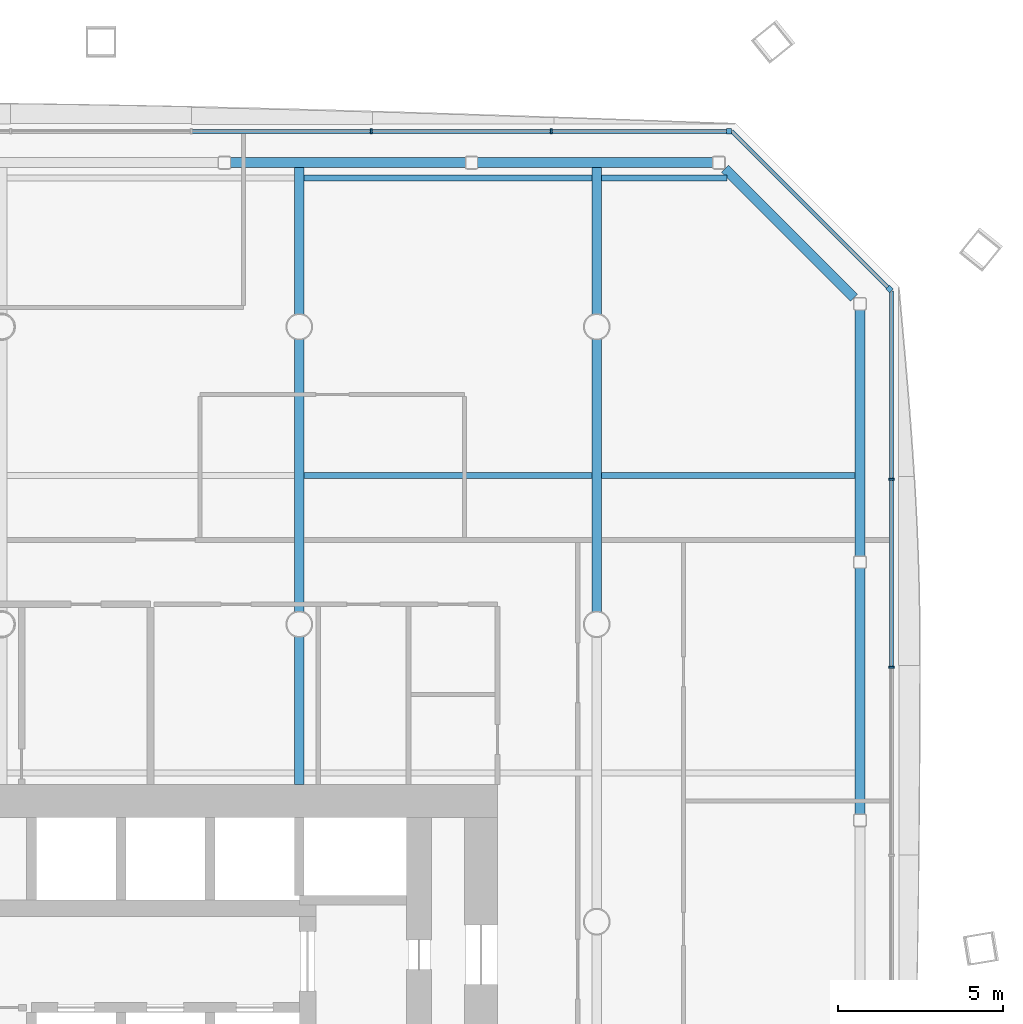
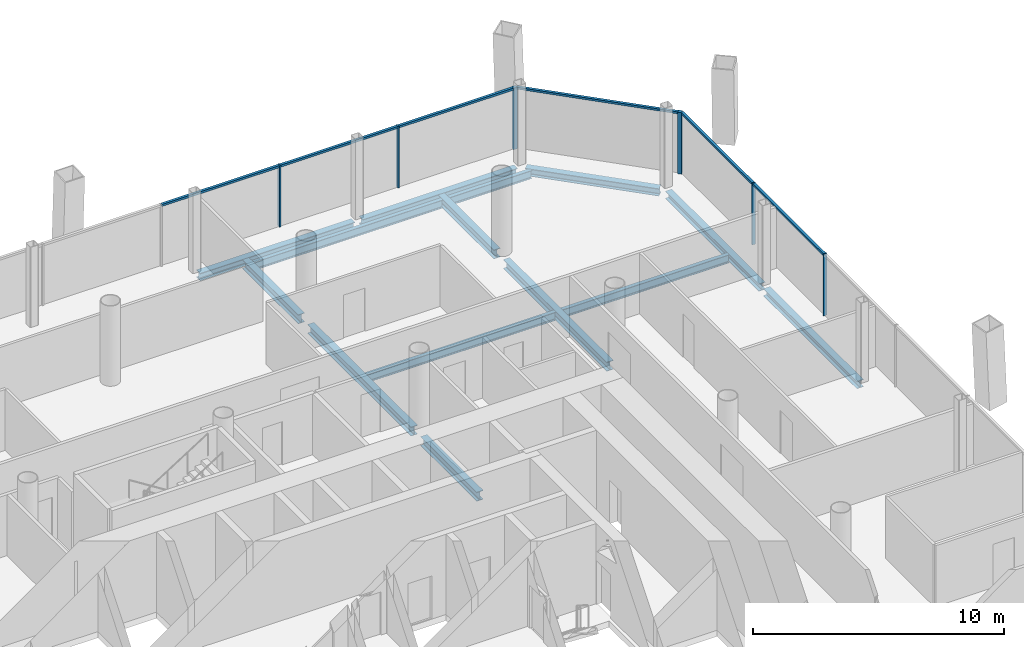
# One storey, part 9 of 19: 14 beams, 12 members, 3 elements without a shape of their own.
"""IFC4 building model written with IfcOpenShell, lengths in metres."""

from ifc_helpers import new_model, si_unit, direction, frame, origin, origin_2d, place, context, subcontext, project, spatial, rectangle, i_section, extrude, material, material_profile, profile_set, type_object, element, aggregate, save


model = new_model("IFC4")

# Units and contexts
model_context = context("Model", 3, precision=1e-05, world=origin(), true_north=direction((0.0, 1.0)))
body_context = subcontext(model_context, "Body", "Model", "MODEL_VIEW")
ifc_project = project(units=[si_unit("LENGTHUNIT", "METRE"), si_unit("AREAUNIT", "SQUARE_METRE"), si_unit("VOLUMEUNIT", "CUBIC_METRE"), si_unit("PLANEANGLEUNIT", "RADIAN"), si_unit("MASSUNIT", "GRAM", prefix="KILO")], contexts=[model_context])

# Site, building, storey
site_placement = place(None, origin())
site = spatial("IfcSite", under=ifc_project, at=site_placement, CompositionType="ELEMENT")
building_placement = place(site_placement, origin())
building = spatial("IfcBuilding", under=site, at=building_placement, Name="Tskaro Facet Tower", CompositionType="ELEMENT")
storey_placement = place(building_placement, frame((0.0, 0.0, 105.0)))
storey = spatial("IfcBuildingStorey", under=building, at=storey_placement, Name="L25", CompositionType="ELEMENT", Elevation=105.0)

# Curtain wall, member
ifc_material_1 = material(Name="Bronze anodised aluminium 6063-T6", Category="aluminium")
curtain_wall_type = type_object("IfcCurtainWallType", Name="Bronze office curtain wall (FW1)", PredefinedType="NOTDEFINED", material=ifc_material_1)
curtain_wall_1_placement = place(storey_placement, origin())
curtain_wall_1 = element("IfcCurtainWall", 1, at=curtain_wall_1_placement, inside=storey, type_object=curtain_wall_type, Name="FW1 north-east facet L25", PredefinedType="NOTDEFINED")
ifc_material_profile_1 = material_profile(ifc_material_1, rectangle(XDim=0.159912109375, YDim=0.159912109375, at=origin_2d()), Name="Corner post 160x160")
ifc_profile_set_1 = profile_set([ifc_material_profile_1], Name="Bronze anodised aluminium 6063-T6")
member_type_1 = type_object("IfcMemberType", Name="FW1 bronze corner post 160x160", PredefinedType="MULLION", material=ifc_profile_set_1)
member_1_placement = place(storey_placement, frame((26.8583984375, 19.1396484375, 0.0), z_axis=(0.0, 0.0, 1.0), x_axis=(-0.707106781187, 0.707106781187, 0.0)))
member_1 = element("IfcMember", 2, at=member_1_placement, type_object=member_type_1, Name="FW1 north-east corner post", PredefinedType="MULLION", context=body_context, shape_type="SweptSolid", body=[
    extrude(rectangle(XDim=0.159912109375, YDim=0.159912109375, at=origin_2d()), origin(), (0.0, 0.0, 1.0), 2.989990234375),
])

curtain_wall_2_placement = place(storey_placement, origin())
curtain_wall_2 = element("IfcCurtainWall", 3, at=curtain_wall_2_placement, inside=storey, type_object=curtain_wall_type, Name="FW1 north facet L25", PredefinedType="NOTDEFINED")
member_2_placement = place(storey_placement, frame((22.0029296875, 23.9150390625, 0.0), z_axis=(0.0, 0.0, 1.0), x_axis=(-1.0, 0.0, 0.0)))
member_2 = element("IfcMember", 4, at=member_2_placement, type_object=member_type_1, Name="FW1 north corner post", PredefinedType="MULLION", context=body_context, shape_type="SweptSolid", body=[
    extrude(rectangle(XDim=0.159912109375, YDim=0.159912109375, at=origin_2d()), origin(), (0.0, 0.0, 1.0), 2.989990234375),
])

# Curtain wall, members
curtain_wall_3_placement = place(storey_placement, origin())
curtain_wall_3 = element("IfcCurtainWall", 5, at=curtain_wall_3_placement, inside=storey, type_object=curtain_wall_type, Name="FW1 east facet L25", PredefinedType="NOTDEFINED")
ifc_material_profile_2 = material_profile(ifc_material_1, rectangle(XDim=0.06005859375, YDim=0.159912109375, at=origin_2d()), Name="Mullion 60x160")
ifc_profile_set_2 = profile_set([ifc_material_profile_2], Name="Bronze anodised aluminium 6063-T6")
member_type_2 = type_object("IfcMemberType", Name="FW1 bronze mullion 60x160", PredefinedType="MULLION", material=ifc_profile_set_2)
member_3_placement = place(storey_placement, frame((26.9150390625, 7.7001953125, 0.0), z_axis=(0.0, 0.0, 1.0), x_axis=(0.0, 1.0, 0.0)))
member_3 = element("IfcMember", 6, at=member_3_placement, type_object=member_type_2, Name="FW1 east mullion 5", PredefinedType="MULLION", context=body_context, shape_type="SweptSolid", body=[
    extrude(rectangle(XDim=0.06005859375, YDim=0.159912109375, at=origin_2d()), origin(), (0.0, 0.0, 1.0), 2.989990234375),
])
member_4_placement = place(storey_placement, frame((26.9150390625, 13.3916015625, 0.0), z_axis=(0.0, 0.0, 1.0), x_axis=(0.0, 1.0, 0.0)))
member_4 = element("IfcMember", 7, at=member_4_placement, type_object=member_type_2, Name="FW1 east mullion 6", PredefinedType="MULLION", context=body_context, shape_type="SweptSolid", body=[
    extrude(rectangle(XDim=0.06005859375, YDim=0.159912109375, at=origin_2d()), origin(), (0.0, 0.0, 1.0), 2.989990234375),
])

# Member
member_5_placement = place(storey_placement, frame((16.630615234375, 23.9150390625, 0.0), z_axis=(0.0, 0.0, 1.0), x_axis=(-1.0, 0.0, 0.0)))
member_5 = element("IfcMember", 8, at=member_5_placement, type_object=member_type_2, Name="FW1 north mullion 1", PredefinedType="MULLION", context=body_context, shape_type="SweptSolid", body=[
    extrude(rectangle(XDim=0.06005859375, YDim=0.159912109375, at=origin_2d()), origin(), (0.0, 0.0, 1.0), 2.989990234375),
])

member_6_placement = place(storey_placement, frame((11.178466796875, 23.9150390625, 0.0), z_axis=(0.0, 0.0, 1.0), x_axis=(-1.0, 0.0, 0.0)))
member_6 = element("IfcMember", 9, at=member_6_placement, type_object=member_type_2, Name="FW1 north mullion 2", PredefinedType="MULLION", context=body_context, shape_type="SweptSolid", body=[
    extrude(rectangle(XDim=0.06005859375, YDim=0.159912109375, at=origin_2d()), origin(), (0.0, 0.0, 1.0), 2.989990234375),
])

ifc_material_profile_3 = material_profile(ifc_material_1, rectangle(XDim=0.1201171875, YDim=0.10009765625, at=origin_2d()), Name="Transom 120x100")
ifc_profile_set_3 = profile_set([ifc_material_profile_3], Name="Bronze anodised aluminium 6063-T6")
member_type_3 = type_object("IfcMemberType", Name="FW1 bronze transom 120x100", PredefinedType="USERDEFINED", material=ifc_profile_set_3)
member_7_placement = place(storey_placement, frame((26.9150390625, 7.730224609375, 2.93994140625), z_axis=(0.0, 1.0, 0.0), x_axis=(-1.0, 0.0, 0.0)))
member_7 = element("IfcMember", 10, at=member_7_placement, type_object=member_type_3, Name="FW1 east transom 6.1", ObjectType="TRANSOM", PredefinedType="USERDEFINED", context=body_context, shape_type="SweptSolid", body=[
    extrude(rectangle(XDim=0.1201171875, YDim=0.10009765625, at=origin_2d()), origin(), (0.0, 0.0, 1.0), 5.63134765625),
])

member_8_placement = place(storey_placement, frame((26.9150390625, 13.421630859375, 2.93994140625), z_axis=(0.0, 1.0, 0.0), x_axis=(-1.0, 0.0, 0.0)))
member_8 = element("IfcMember", 11, at=member_8_placement, type_object=member_type_3, Name="FW1 east transom 7.1", ObjectType="TRANSOM", PredefinedType="USERDEFINED", context=body_context, shape_type="SweptSolid", body=[
    extrude(rectangle(XDim=0.1201171875, YDim=0.10009765625, at=origin_2d()), origin(), (0.0, 0.0, 1.0), 5.661376953125),
])

aggregate(curtain_wall_3, [member_3, member_4, member_7, member_8])

member_9_placement = place(storey_placement, frame((26.8017578125, 19.196044921875, 2.93994140625), z_axis=(-0.707088489133, 0.707125072767, 0.0), x_axis=(-0.707125072767, -0.707088489133, 0.0)))
member_9 = element("IfcMember", 12, at=member_9_placement, type_object=member_type_3, Name="FW1 north-east transom 1.1", ObjectType="TRANSOM", PredefinedType="USERDEFINED", context=body_context, shape_type="SweptSolid", body=[
    extrude(rectangle(XDim=0.1201171875, YDim=0.10009765625, at=origin_2d()), origin(), (0.0, 0.0, 1.0), 6.673583984375),
])

aggregate(curtain_wall_1, [member_1, member_9])

member_10_placement = place(storey_placement, frame((21.923095703125, 23.9150390625, 2.93994140625), z_axis=(-1.0, 0.0, 0.0), x_axis=(0.0, -1.0, 0.0)))
member_10 = element("IfcMember", 13, at=member_10_placement, type_object=member_type_3, Name="FW1 north transom 1.1", ObjectType="TRANSOM", PredefinedType="USERDEFINED", context=body_context, shape_type="SweptSolid", body=[
    extrude(rectangle(XDim=0.1201171875, YDim=0.10009765625, at=origin_2d()), origin(), (0.0, 0.0, 1.0), 5.262451171875),
])

member_11_placement = place(storey_placement, frame((16.600830078125, 23.9150390625, 2.93994140625), z_axis=(-1.0, 0.0, 0.0), x_axis=(0.0, -1.0, 0.0)))
member_11 = element("IfcMember", 14, at=member_11_placement, type_object=member_type_3, Name="FW1 north transom 2.1", ObjectType="TRANSOM", PredefinedType="USERDEFINED", context=body_context, shape_type="SweptSolid", body=[
    extrude(rectangle(XDim=0.1201171875, YDim=0.10009765625, at=origin_2d()), origin(), (0.0, 0.0, 1.0), 5.392333984375),
])

member_12_placement = place(storey_placement, frame((11.1484375, 23.9150390625, 2.93994140625), z_axis=(-1.0, 0.0, 0.0), x_axis=(0.0, -1.0, 0.0)))
member_12 = element("IfcMember", 15, at=member_12_placement, type_object=member_type_3, Name="FW1 north transom 3.1", ObjectType="TRANSOM", PredefinedType="USERDEFINED", context=body_context, shape_type="SweptSolid", body=[
    extrude(rectangle(XDim=0.1201171875, YDim=0.10009765625, at=origin_2d()), origin(), (0.0, 0.0, 1.0), 5.392333984375),
])

aggregate(curtain_wall_2, [member_2, member_5, member_6, member_10, member_11, member_12])

# Beams
ifc_material_2 = material(Name="Steel S355J2", Category="steel")
ifc_material_profile_4 = material_profile(ifc_material_2, i_section(OverallWidth=0.300048828125, OverallDepth=0.360107421875, WebThickness=0.012451171875, FlangeThickness=0.0224609375, FilletRadius=0.027099609375, at=origin_2d()), Name="HE 360 B")
ifc_profile_set_4 = profile_set([ifc_material_profile_4], Name="Steel S355J2")
beam_type_1 = type_object("IfcBeamType", Name="HE 360 B ring beam", PredefinedType="BEAM", material=ifc_profile_set_4)
for number, where, z_axis, x_axis, name in (
    (16, (25.965087890625, 3.248046875, -0.320068359375), (0.0, 1.0, 0.0), (-1.0, 0.0, 0.0), "HE 360 B EB10-2"),
    (17, (25.965087890625, 11.05908203125, -0.320068359375), (0.0, 1.0, 0.0), (-1.0, 0.0, 0.0), "HE 360 B EB11-2"),
):
    element("IfcBeam", number, at=place(storey_placement, frame(where, z_axis=z_axis, x_axis=x_axis)), inside=storey, type_object=beam_type_1, Name=name, PredefinedType="BEAM", context=body_context, shape_type="SweptSolid", body=[
        extrude(i_section(OverallWidth=0.300048828125, OverallDepth=0.360107421875, WebThickness=0.012451171875, FlangeThickness=0.0224609375, FilletRadius=0.027099609375, at=origin_2d()), origin(), (0.0, 0.0, 1.0), 7.450927734375),
    ])
beam_1_placement = place(storey_placement, frame((25.779052734375, 18.8759765625, -0.320068359375), z_axis=(-0.707106781187, 0.707106781187, 0.0), x_axis=(-0.707106781187, -0.707106781187, 0.0)))
element("IfcBeam", 18, at=beam_1_placement, inside=storey, type_object=beam_type_1, Name="HE 360 B EB12-2", PredefinedType="BEAM", context=body_context, shape_type="SweptSolid", body=[
    extrude(i_section(OverallWidth=0.300048828125, OverallDepth=0.360107421875, WebThickness=0.012451171875, FlangeThickness=0.0224609375, FilletRadius=0.027099609375, at=origin_2d()), origin(), (0.0, 0.0, 1.0), 5.519775390625),
])
for number, where, z_axis, x_axis, name in (
    (19, (21.510009765625, 22.965087890625, -0.320068359375), (-1.0, 0.0, 0.0), (0.0, -1.0, 0.0), "HE 360 B EB13-2"),
    (20, (14.033935546875, 22.965087890625, -0.320068359375), (-1.0, 0.0, 0.0), (0.0, -1.0, 0.0), "HE 360 B EB14-2"),
):
    element("IfcBeam", number, at=place(storey_placement, frame(where, z_axis=z_axis, x_axis=x_axis)), inside=storey, type_object=beam_type_1, Name=name, PredefinedType="BEAM", context=body_context, shape_type="SweptSolid", body=[
        extrude(i_section(OverallWidth=0.300048828125, OverallDepth=0.360107421875, WebThickness=0.012451171875, FlangeThickness=0.0224609375, FilletRadius=0.027099609375, at=origin_2d()), origin(), (0.0, 0.0, 1.0), 7.115966796875),
    ])
ifc_material_profile_5 = material_profile(ifc_material_2, i_section(OverallWidth=0.300048828125, OverallDepth=0.43994140625, WebThickness=0.011474609375, FlangeThickness=0.02099609375, FilletRadius=0.027099609375, at=origin_2d()), Name="HE 450 A")
ifc_profile_set_5 = profile_set([ifc_material_profile_5], Name="Steel S355J2")
beam_type_2 = type_object("IfcBeamType", Name="HE 450 A girder", PredefinedType="BEAM", material=ifc_profile_set_5)
beam_2_placement = place(storey_placement, frame((9.0, 4.14990234375, -0.360107421875), z_axis=(0.0, 1.0, 0.0), x_axis=(-1.0, 0.0, 0.0)))
element("IfcBeam", 21, at=beam_2_placement, inside=storey, type_object=beam_type_2, Name="HE 450 A GB5-3-2", PredefinedType="BEAM", context=body_context, shape_type="SweptSolid", body=[
    extrude(i_section(OverallWidth=0.300048828125, OverallDepth=0.43994140625, WebThickness=0.011474609375, FlangeThickness=0.02099609375, FilletRadius=0.027099609375, at=origin_2d()), origin(), (0.0, 0.0, 1.0), 4.4736328125),
])
beam_3_placement = place(storey_placement, frame((9.0, 9.37646484375, -0.360107421875), z_axis=(0.0, 1.0, 0.0), x_axis=(-1.0, 0.0, 0.0)))
element("IfcBeam", 22, at=beam_3_placement, inside=storey, type_object=beam_type_2, Name="HE 450 A GB5-4-2", PredefinedType="BEAM", context=body_context, shape_type="SweptSolid", body=[
    extrude(i_section(OverallWidth=0.300048828125, OverallDepth=0.43994140625, WebThickness=0.011474609375, FlangeThickness=0.02099609375, FilletRadius=0.027099609375, at=origin_2d()), origin(), (0.0, 0.0, 1.0), 8.2470703125),
])
beam_4_placement = place(storey_placement, frame((9.0, 18.37646484375, -0.360107421875), z_axis=(0.0, 1.0, 0.0), x_axis=(-1.0, 0.0, 0.0)))
element("IfcBeam", 23, at=beam_4_placement, inside=storey, type_object=beam_type_2, Name="HE 450 A GB5-5-2", PredefinedType="BEAM", context=body_context, shape_type="SweptSolid", body=[
    extrude(i_section(OverallWidth=0.300048828125, OverallDepth=0.43994140625, WebThickness=0.011474609375, FlangeThickness=0.02099609375, FilletRadius=0.027099609375, at=origin_2d()), origin(), (0.0, 0.0, 1.0), 4.4384765625),
])
beam_5_placement = place(storey_placement, frame((18.0, 9.37646484375, -0.360107421875), z_axis=(0.0, 1.0, 0.0), x_axis=(-1.0, 0.0, 0.0)))
element("IfcBeam", 24, at=beam_5_placement, inside=storey, type_object=beam_type_2, Name="HE 450 A GB6-5-2", PredefinedType="BEAM", context=body_context, shape_type="SweptSolid", body=[
    extrude(i_section(OverallWidth=0.300048828125, OverallDepth=0.43994140625, WebThickness=0.011474609375, FlangeThickness=0.02099609375, FilletRadius=0.027099609375, at=origin_2d()), origin(), (0.0, 0.0, 1.0), 8.2470703125),
])
beam_6_placement = place(storey_placement, frame((18.0, 18.37646484375, -0.360107421875), z_axis=(0.0, 1.0, 0.0), x_axis=(-1.0, 0.0, 0.0)))
element("IfcBeam", 25, at=beam_6_placement, inside=storey, type_object=beam_type_2, Name="HE 450 A GB6-6-2", PredefinedType="BEAM", context=body_context, shape_type="SweptSolid", body=[
    extrude(i_section(OverallWidth=0.300048828125, OverallDepth=0.43994140625, WebThickness=0.011474609375, FlangeThickness=0.02099609375, FilletRadius=0.027099609375, at=origin_2d()), origin(), (0.0, 0.0, 1.0), 4.4384765625),
])
ifc_material_profile_6 = material_profile(ifc_material_2, i_section(OverallWidth=0.179931640625, OverallDepth=0.39990234375, WebThickness=0.008544921875, FlangeThickness=0.013427734375, FilletRadius=0.02099609375, at=origin_2d()), Name="IPE 400")
ifc_profile_set_6 = profile_set([ifc_material_profile_6], Name="Steel S355J2")
beam_type_3 = type_object("IfcBeamType", Name="IPE 400 secondary beam", PredefinedType="BEAM", material=ifc_profile_set_6)
beam_7_placement = place(storey_placement, frame((9.14990234375, 13.5, -0.340087890625), z_axis=(1.0, 0.0, 0.0), x_axis=(0.0, 1.0, 0.0)))
element("IfcBeam", 26, at=beam_7_placement, inside=storey, type_object=beam_type_3, Name="IPE 400 SB5a-4-2", PredefinedType="BEAM", context=body_context, shape_type="SweptSolid", body=[
    extrude(i_section(OverallWidth=0.179931640625, OverallDepth=0.39990234375, WebThickness=0.008544921875, FlangeThickness=0.013427734375, FilletRadius=0.02099609375, at=origin_2d()), origin(), (0.0, 0.0, 1.0), 8.7001953125),
])
beam_8_placement = place(storey_placement, frame((18.14990234375, 13.5, -0.340087890625), z_axis=(1.0, 0.0, 0.0), x_axis=(0.0, 1.0, 0.0)))
element("IfcBeam", 27, at=beam_8_placement, inside=storey, type_object=beam_type_3, Name="IPE 400 SB5a-5-2", PredefinedType="BEAM", context=body_context, shape_type="SweptSolid", body=[
    extrude(i_section(OverallWidth=0.179931640625, OverallDepth=0.39990234375, WebThickness=0.008544921875, FlangeThickness=0.013427734375, FilletRadius=0.02099609375, at=origin_2d()), origin(), (0.0, 0.0, 1.0), 7.6650390625),
])
beam_9_placement = place(storey_placement, frame((9.14990234375, 22.5, -0.340087890625), z_axis=(1.0, 0.0, 0.0), x_axis=(0.0, 1.0, 0.0)))
element("IfcBeam", 28, at=beam_9_placement, inside=storey, type_object=beam_type_3, Name="IPE 400 SB6a-4-2", PredefinedType="BEAM", context=body_context, shape_type="SweptSolid", body=[
    extrude(i_section(OverallWidth=0.179931640625, OverallDepth=0.39990234375, WebThickness=0.008544921875, FlangeThickness=0.013427734375, FilletRadius=0.02099609375, at=origin_2d()), origin(), (0.0, 0.0, 1.0), 8.7001953125),
])
beam_10_placement = place(storey_placement, frame((18.14990234375, 22.5, -0.340087890625), z_axis=(1.0, 0.0, 0.0), x_axis=(0.0, 1.0, 0.0)))
element("IfcBeam", 29, at=beam_10_placement, inside=storey, type_object=beam_type_3, Name="IPE 400 SB6a-5-2", PredefinedType="BEAM", context=body_context, shape_type="SweptSolid", body=[
    extrude(i_section(OverallWidth=0.179931640625, OverallDepth=0.39990234375, WebThickness=0.008544921875, FlangeThickness=0.013427734375, FilletRadius=0.02099609375, at=origin_2d()), origin(), (0.0, 0.0, 1.0), 3.793212890625),
])

save(model, "model.ifc")
